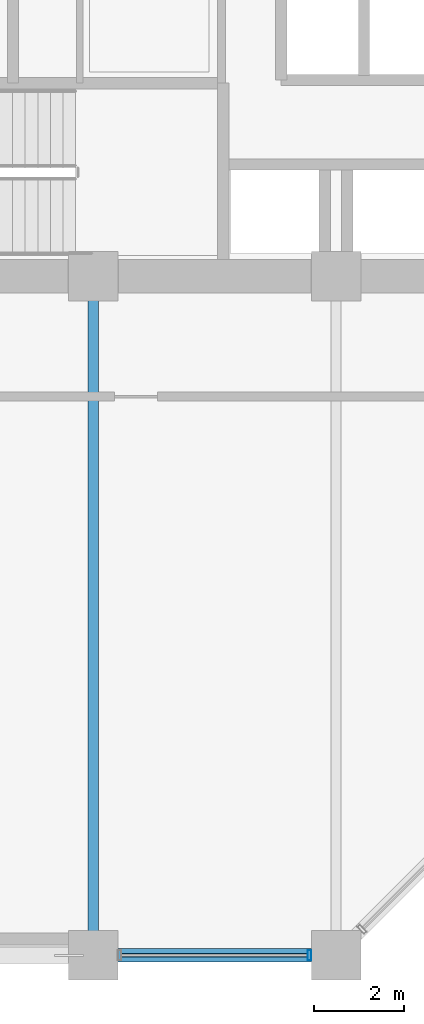
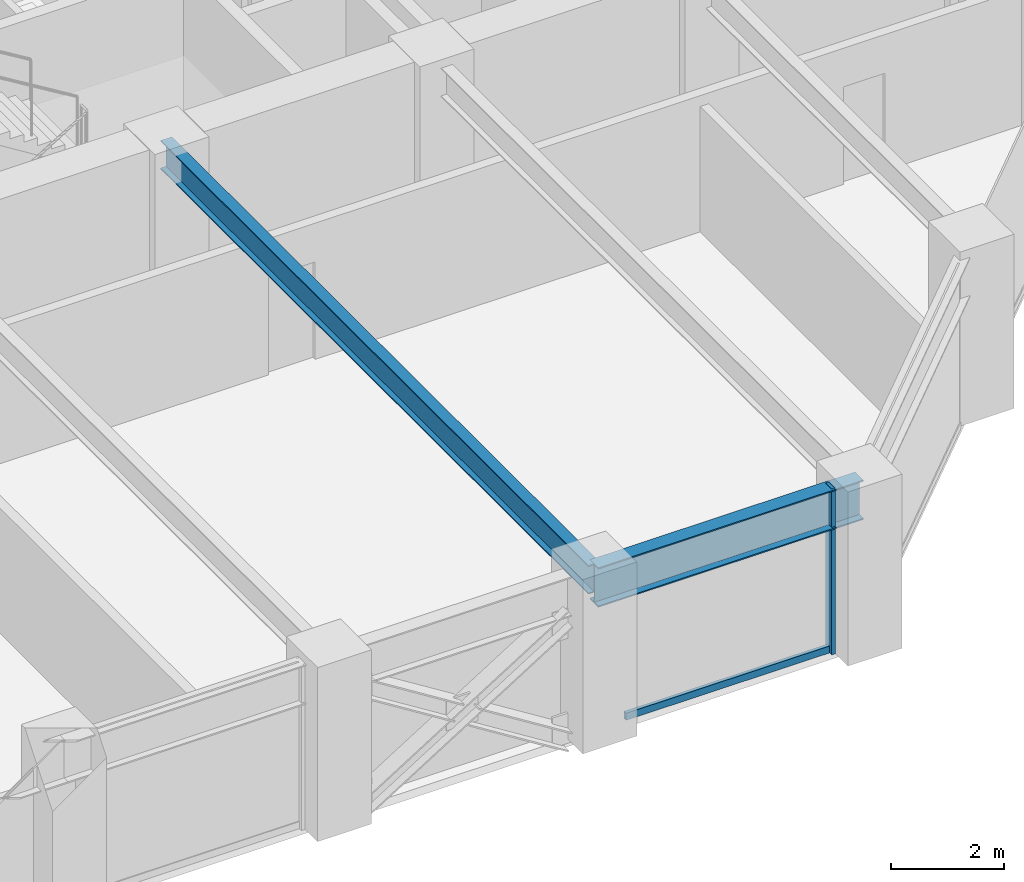
# One storey, part 5 of 25: 2 beams, 2 members, 1 element without a shape of its own.
"""IFC4 building model written with IfcOpenShell, lengths in metres."""

from ifc_helpers import new_model, si_unit, direction, frame, origin, origin_2d, place, context, subcontext, project, spatial, hollow_rectangle, i_section, extrude, material, layer, layer_set, material_profile, profile_set, type_object, element, aggregate, save


model = new_model("IFC4")

# Units and contexts
model_context = context("Model", 3, precision=1e-05, world=origin(), true_north=direction((0.0, 1.0)))
body_context = subcontext(model_context, "Body", "Model", "MODEL_VIEW")
ifc_project = project(units=[si_unit("LENGTHUNIT", "METRE"), si_unit("AREAUNIT", "SQUARE_METRE"), si_unit("VOLUMEUNIT", "CUBIC_METRE"), si_unit("PLANEANGLEUNIT", "RADIAN"), si_unit("MASSUNIT", "GRAM", prefix="KILO")], contexts=[model_context])

# Site, building, storey
site_placement = place(None, origin())
site = spatial("IfcSite", under=ifc_project, at=site_placement, CompositionType="ELEMENT")
building_placement = place(site_placement, origin())
building = spatial("IfcBuilding", under=site, at=building_placement, Name="Surkhivell Harbour Commons", CompositionType="ELEMENT")
storey_placement = place(building_placement, frame((0.0, 0.0, 109.5)))
storey = spatial("IfcBuildingStorey", under=building, at=storey_placement, Name="L28", CompositionType="ELEMENT", Elevation=109.5)

# Beams
ifc_material_1 = material(Name="Steel S355", Category="steel")
ifc_material_profile_1 = material_profile(ifc_material_1, i_section(OverallWidth=0.22998046875, OverallDepth=0.616943359375, WebThickness=0.01318359375, FlangeThickness=0.022216796875, at=origin_2d()), Name="UB610x229x140")
ifc_profile_set_1 = profile_set([ifc_material_profile_1], Name="Steel S355")
beam_type_1 = type_object("IfcBeamType", Name="BM-GRD-610B", PredefinedType="BEAM", material=ifc_profile_set_1)
beam_1_placement = place(storey_placement, frame((-5.39990234375, -25.89990234375, 3.261474609375), z_axis=(0.0, 1.0, 0.0), x_axis=(-1.0, 0.0, 0.0)))
element("IfcBeam", 1, at=beam_1_placement, inside=storey, type_object=beam_type_1, Name="L28 Floor Girder (-5.4,-25.9)", PredefinedType="BEAM", context=body_context, shape_type="SweptSolid", body=[
    extrude(i_section(OverallWidth=0.22998046875, OverallDepth=0.616943359375, WebThickness=0.01318359375, FlangeThickness=0.022216796875, at=origin_2d()), origin(), (0.0, 0.0, 1.0), 15.099853515625),
])
ifc_material_2 = material(Name="Steel S460", Category="steel")
ifc_material_profile_2 = material_profile(ifc_material_2, i_section(OverallWidth=0.2939453125, OverallDepth=0.85107421875, WebThickness=0.01611328125, FlangeThickness=0.02685546875, at=origin_2d()), Name="UB838x292x226")
ifc_profile_set_2 = profile_set([ifc_material_profile_2], Name="Steel S460")
beam_type_2 = type_object("IfcBeamType", Name="BM-SPN-838", PredefinedType="SPANDREL", material=ifc_profile_set_2)
beam_2_placement = place(storey_placement, frame((-5.39990234375, -25.89990234375, 3.14453125), z_axis=(1.0, 0.0, 0.0), x_axis=(0.0, 1.0, 0.0)))
element("IfcBeam", 2, at=beam_2_placement, inside=storey, type_object=beam_type_2, Name="L28 Tube Spandrel (-5.4,-25.9)", PredefinedType="SPANDREL", context=body_context, shape_type="SweptSolid", body=[
    extrude(i_section(OverallWidth=0.2939453125, OverallDepth=0.85107421875, WebThickness=0.01611328125, FlangeThickness=0.02685546875, at=origin_2d()), origin(), (0.0, 0.0, 1.0), 5.39990234375),
])

# Curtain wall, members
ifc_material_3 = material(Name="Anodised pale-metal aluminium and insulated glazing", Category="aluminium")
ifc_layer = layer(ifc_material_3, 0.205078125)
ifc_layer_set = layer_set([ifc_layer], Name="Anodised pale-metal aluminium and insulated glazing")
curtain_wall_type = type_object("IfcCurtainWallType", Name="CW-SYS-Z2", PredefinedType="NOTDEFINED", material=ifc_layer_set)
curtain_wall_placement = place(storey_placement, origin())
curtain_wall = element("IfcCurtainWall", 3, at=curtain_wall_placement, inside=storey, type_object=curtain_wall_type, Name="L28 Curtain Wall CW-L28-E00S2", PredefinedType="NOTDEFINED")
ifc_material_4 = material(Name="Anodised pale-metal aluminium alloy 6063-T6", Category="aluminium")
ifc_material_profile_3 = material_profile(ifc_material_4, hollow_rectangle(XDim=0.074951171875, YDim=0.219970703125, WallThickness=0.00390625, at=origin_2d()), Name="ALU-MULL-75x220")
ifc_profile_set_3 = profile_set([ifc_material_profile_3], Name="Anodised pale-metal aluminium alloy 6063-T6")
member_type_1 = type_object("IfcMemberType", Name="CWM-220", PredefinedType="MULLION", material=ifc_profile_set_3)
member_1_placement = place(storey_placement, frame((-0.589599609375, -25.89990234375, 0.0), z_axis=(0.0, 0.0, 1.0), x_axis=(1.0, 0.0, 0.0)))
member_1 = element("IfcMember", 4, at=member_1_placement, type_object=member_type_1, Name="CW-Z2 mullion 2", PredefinedType="MULLION", context=body_context, shape_type="SweptSolid", body=[
    extrude(hollow_rectangle(XDim=0.074951171875, YDim=0.219970703125, WallThickness=0.00390625, at=origin_2d()), origin(), (0.0, 0.0, 1.0), 3.570068359375),
])
ifc_material_profile_4 = material_profile(ifc_material_4, hollow_rectangle(XDim=0.074951171875, YDim=0.14990234375, WallThickness=0.00341796875, at=origin_2d()), Name="ALU-TRAN-75x150")
ifc_profile_set_4 = profile_set([ifc_material_profile_4], Name="Anodised pale-metal aluminium alloy 6063-T6")
member_type_2 = type_object("IfcMemberType", Name="CWT-150", PredefinedType="USERDEFINED", material=ifc_profile_set_4)
member_2_placement = place(storey_placement, frame((-4.77294921875, -25.89990234375, 0.074951171875), z_axis=(1.0, 0.0, 0.0), x_axis=(0.0, 1.0, 0.0)))
member_2 = element("IfcMember", 5, at=member_2_placement, type_object=member_type_2, Name="CW-Z2 transom 1.1", ObjectType="TRANSOM", PredefinedType="USERDEFINED", context=body_context, shape_type="SweptSolid", body=[
    extrude(hollow_rectangle(XDim=0.074951171875, YDim=0.14990234375, WallThickness=0.00341796875, at=origin_2d()), origin(), (0.0, 0.0, 1.0), 4.14599609375),
])
aggregate(curtain_wall, [member_1, member_2])

save(model, "model.ifc")
